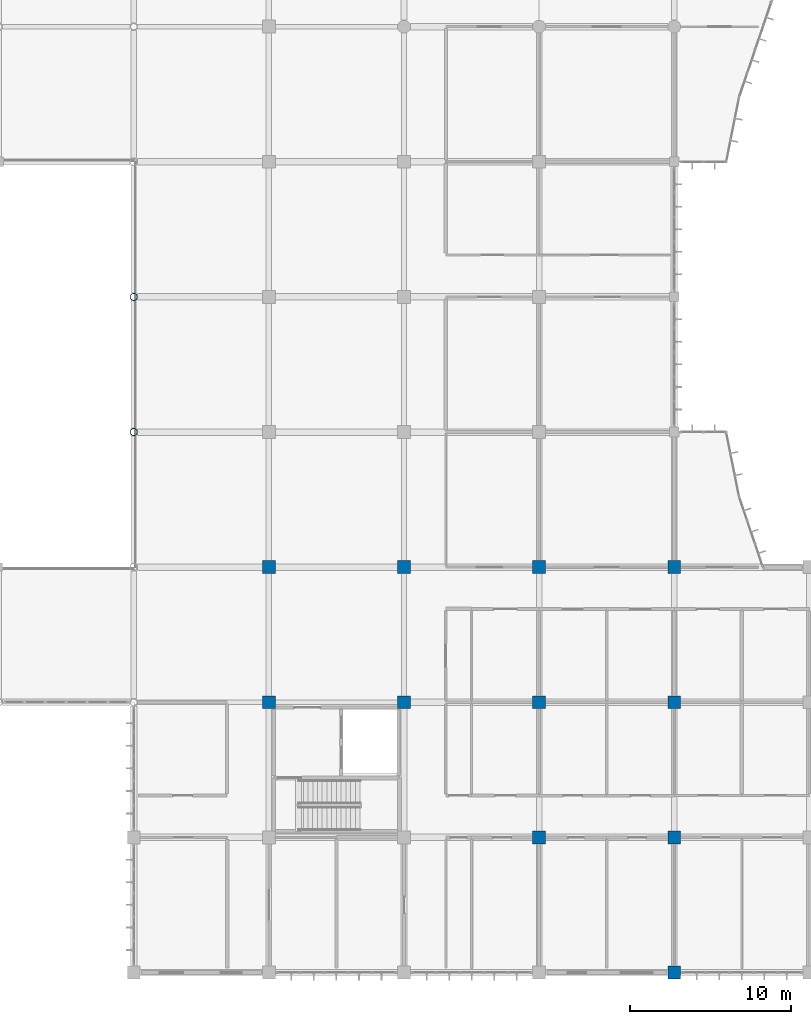
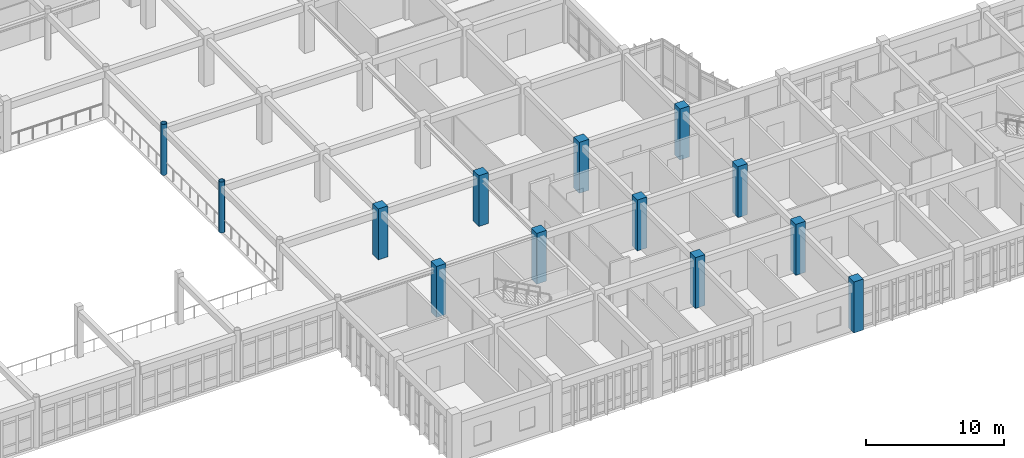
# One storey, part 6 of 144: 13 columns.
"""IFC4 building model written with IfcOpenShell, lengths in metres."""

from ifc_helpers import new_model, si_unit, direction, frame, origin, origin_2d, place, context, subcontext, project, spatial, rectangle, hollow_circle, extrude, material, material_profile, profile_set, type_object, element, save


model = new_model("IFC4")

# Units and contexts
model_context = context("Model", 3, precision=1e-05, world=origin(), true_north=direction((0.0, 1.0)))
body_context = subcontext(model_context, "Body", "Model", "MODEL_VIEW")
ifc_project = project(units=[si_unit("LENGTHUNIT", "METRE"), si_unit("AREAUNIT", "SQUARE_METRE"), si_unit("VOLUMEUNIT", "CUBIC_METRE"), si_unit("PLANEANGLEUNIT", "RADIAN"), si_unit("MASSUNIT", "GRAM", prefix="KILO")], contexts=[model_context])

# Site, building, storey
site_placement = place(None, origin())
site = spatial("IfcSite", under=ifc_project, at=site_placement, CompositionType="ELEMENT")
building_placement = place(site_placement, origin())
building = spatial("IfcBuilding", under=site, at=building_placement, Name="Bramfleet General Hospital", CompositionType="ELEMENT")
storey_placement = place(building_placement, frame((0.0, 0.0, 4.800048828125)))
storey = spatial("IfcBuildingStorey", under=building, at=storey_placement, Name="L01", CompositionType="ELEMENT", Elevation=4.800048828125)

# Columns
ifc_material_1 = material(Name="Steel S355", Category="steel")
ifc_material_profile_1 = material_profile(ifc_material_1, hollow_circle(Radius=0.228515625, WallThickness=0.02001953125, at=origin_2d()), Name="CHS 457.0x20.0")
ifc_profile_set_1 = profile_set([ifc_material_profile_1], Name="Steel S355")
column_type_1 = type_object("IfcColumnType", Name="COL-CHS457", PredefinedType="COLUMN", material=ifc_profile_set_1)
for number, where, z_axis, x_axis, name in (
    (1, (92.39990234375, 33.60009765625, 0.0), (0.0, 0.0, 1.0), (1.0, 0.0, 0.0), "Column COL-L01-11-04"),
    (2, (92.39990234375, 42.0, 0.0), (0.0, 0.0, 1.0), (1.0, 0.0, 0.0), "Column COL-L01-11-05"),
):
    element("IfcColumn", number, at=place(storey_placement, frame(where, z_axis=z_axis, x_axis=x_axis)), inside=storey, type_object=column_type_1, Name=name, PredefinedType="COLUMN", context=body_context, shape_type="SweptSolid", body=[
        extrude(hollow_circle(Radius=0.228515625, WallThickness=0.02001953125, at=origin_2d()), origin(), (0.0, 0.0, 1.0), 4.5),
    ])
ifc_material_2 = material(Name="Concrete C40/50", Category="concrete")
ifc_material_profile_2 = material_profile(ifc_material_2, rectangle(XDim=0.800048828125, YDim=0.800048828125, at=origin_2d()), Name="RC COL 800x800")
ifc_profile_set_2 = profile_set([ifc_material_profile_2], Name="Concrete C40/50")
column_type_2 = type_object("IfcColumnType", Name="COL-RC800", PredefinedType="COLUMN", material=ifc_profile_set_2)
for number, where, z_axis, x_axis, name in (
    (3, (100.800048828125, 16.800048828125, 0.0), (0.0, 0.0, 1.0), (1.0, 0.0, 0.0), "Column COL-L01-12-02"),
    (4, (100.800048828125, 25.199951171875, 0.0), (0.0, 0.0, 1.0), (1.0, 0.0, 0.0), "Column COL-L01-12-03"),
    (5, (109.199951171875, 16.800048828125, 0.0), (0.0, 0.0, 1.0), (1.0, 0.0, 0.0), "Column COL-L01-13-02"),
    (6, (109.199951171875, 25.199951171875, 0.0), (0.0, 0.0, 1.0), (1.0, 0.0, 0.0), "Column COL-L01-13-03"),
    (7, (117.60009765625, 8.39990234375, 0.0), (0.0, 0.0, 1.0), (1.0, 0.0, 0.0), "Column COL-L01-14-01"),
    (8, (117.60009765625, 16.800048828125, 0.0), (0.0, 0.0, 1.0), (1.0, 0.0, 0.0), "Column COL-L01-14-02"),
    (9, (117.60009765625, 25.199951171875, 0.0), (0.0, 0.0, 1.0), (1.0, 0.0, 0.0), "Column COL-L01-14-03"),
    (10, (126.0, 0.0, 0.0), (0.0, 0.0, 1.0), (1.0, 0.0, 0.0), "Column COL-L01-15-00"),
    (11, (126.0, 8.39990234375, 0.0), (0.0, 0.0, 1.0), (1.0, 0.0, 0.0), "Column COL-L01-15-01"),
    (12, (126.0, 16.800048828125, 0.0), (0.0, 0.0, 1.0), (1.0, 0.0, 0.0), "Column COL-L01-15-02"),
    (13, (126.0, 25.199951171875, 0.0), (0.0, 0.0, 1.0), (1.0, 0.0, 0.0), "Column COL-L01-15-03"),
):
    element("IfcColumn", number, at=place(storey_placement, frame(where, z_axis=z_axis, x_axis=x_axis)), inside=storey, type_object=column_type_2, Name=name, PredefinedType="COLUMN", context=body_context, shape_type="SweptSolid", body=[
        extrude(rectangle(XDim=0.800048828125, YDim=0.800048828125, at=origin_2d()), origin(), (0.0, 0.0, 1.0), 4.5),
    ])

save(model, "model.ifc")
